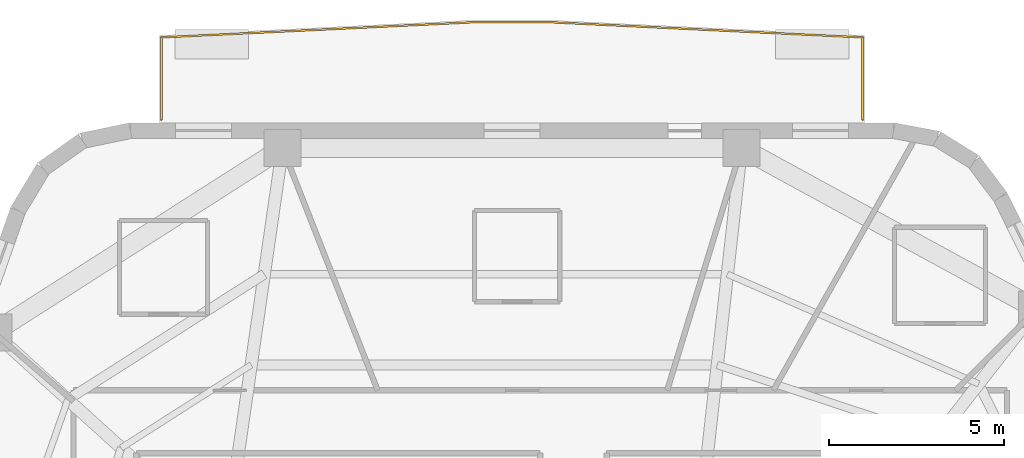
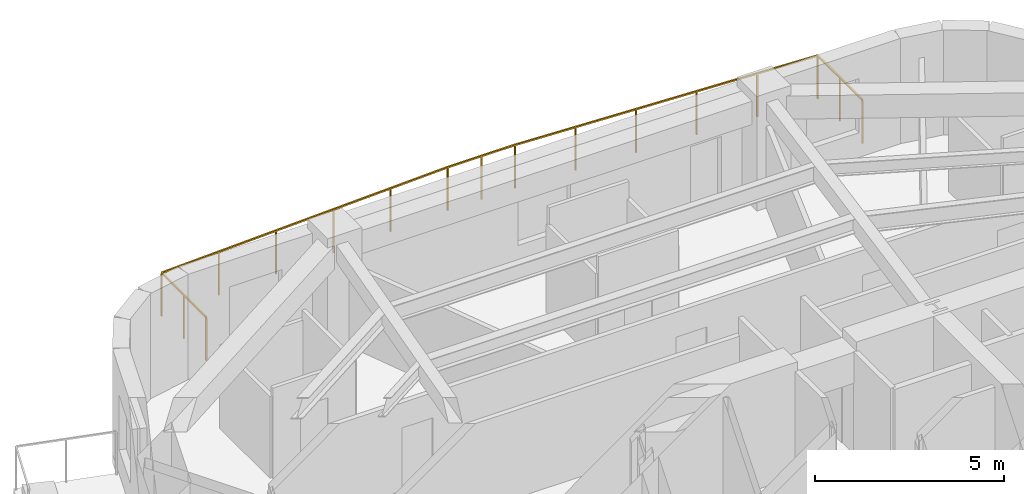
# One storey, part 11 of 11: 1 railing.
"""IFC4 building model written with IfcOpenShell, lengths in metres."""

from ifc_helpers import new_model, si_unit, direction, frame, origin, origin_2d, place, context, subcontext, project, spatial, rectangle, extrude, material, layer, layer_set, type_object, element, save


model = new_model("IFC4")

# Units and contexts
model_context = context("Model", 3, precision=1e-05, world=origin(), true_north=direction((0.0, 1.0)))
body_context = subcontext(model_context, "Body", "Model", "MODEL_VIEW")
ifc_project = project(units=[si_unit("LENGTHUNIT", "METRE"), si_unit("AREAUNIT", "SQUARE_METRE"), si_unit("VOLUMEUNIT", "CUBIC_METRE"), si_unit("PLANEANGLEUNIT", "RADIAN"), si_unit("MASSUNIT", "GRAM", prefix="KILO")], contexts=[model_context])

# Site, building, storey
site_placement = place(None, origin())
site = spatial("IfcSite", under=ifc_project, at=site_placement, CompositionType="ELEMENT")
building_placement = place(site_placement, origin())
building = spatial("IfcBuilding", under=site, at=building_placement, Name="Kilnhurst Terrace Hotel", CompositionType="ELEMENT")
storey_placement = place(building_placement, frame((0.0, 0.0, 194.10009765625)))
storey = spatial("IfcBuildingStorey", under=building, at=storey_placement, Name="L48", CompositionType="ELEMENT", Elevation=194.10009765625)

# Railing
ifc_material = material(Name="Laminated SentryGlas and Stainless Steel AISI 316L Balustrade", Category="steel")
ifc_layer = layer(ifc_material, 0.070068359375, Name="Laminated SentryGlas and Stainless Steel AISI 316L Balustrade")
ifc_layer_set = layer_set([ifc_layer], Name="Laminated SentryGlas and Stainless Steel AISI 316L Balustrade")
railing_type = type_object("IfcRailingType", Name="RLG-BAL-1420", PredefinedType="BALUSTRADE", material=ifc_layer_set)
railing_placement = place(storey_placement, frame((-10.83349609375, 19.580078125, 0.0)))
element("IfcRailing", 1, at=railing_placement, inside=storey, type_object=railing_type, Name="L48 Exterior Terrace Guardrail BAL-L2A.1", PredefinedType="BALUSTRADE", context=body_context, shape_type="SweptSolid", body=[
    extrude(rectangle(XDim=0.048095703125, YDim=0.048095703125, at=origin_2d()), frame((0.0, 0.0, 1.39599609375), z_axis=(0.0, 1.0, 0.0), x_axis=(-1.0, 0.0, 0.0)), (0.0, 0.0, 1.0), 2.36279296875),
    extrude(rectangle(XDim=0.048095703125, YDim=0.048095703125, at=origin_2d()), frame((0.0, 2.36279296875, 1.39599609375), z_axis=(0.998822813861, 0.048507592295, 0.0), x_axis=(-0.048507592295, 0.998822813861, 0.0)), (0.0, 0.0, 1.0), 9.009033203125),
    extrude(rectangle(XDim=0.048095703125, YDim=0.048095703125, at=origin_2d()), frame((8.99853515625, 2.7998046875, 1.39599609375), z_axis=(1.0, 0.0, 0.0), x_axis=(0.0, 1.0, 0.0)), (0.0, 0.0, 1.0), 2.0556640625),
    extrude(rectangle(XDim=0.048095703125, YDim=0.048095703125, at=origin_2d()), frame((11.05419921875, 2.7998046875, 1.39599609375), z_axis=(0.998822813861, -0.048507592295, 0.0), x_axis=(0.048507592295, 0.998822813861, 0.0)), (0.0, 0.0, 1.0), 9.009033203125),
    extrude(rectangle(XDim=0.048095703125, YDim=0.048095703125, at=origin_2d()), frame((20.052734375, 2.36279296875, 1.39599609375), z_axis=(0.0, -1.0, 0.0), x_axis=(1.0, 0.0, 0.0)), (0.0, 0.0, 1.0), 2.36279296875),
    extrude(rectangle(XDim=0.0419921875, YDim=0.0419921875, at=origin_2d()), origin(), (0.0, 0.0, 1.0), 1.371826171875),
    extrude(rectangle(XDim=0.0419921875, YDim=0.0419921875, at=origin_2d()), frame((0.0, 1.181396484375, 0.0)), (0.0, 0.0, 1.0), 1.371826171875),
    extrude(rectangle(XDim=0.0419921875, YDim=0.0419921875, at=origin_2d()), frame((0.0, 2.36279296875, 0.0)), (0.0, 0.0, 1.0), 1.371826171875),
    extrude(rectangle(XDim=0.0419921875, YDim=0.0419921875, at=origin_2d()), frame((1.7998046875, 2.4501953125, 0.0)), (0.0, 0.0, 1.0), 1.371826171875),
    extrude(rectangle(XDim=0.0419921875, YDim=0.0419921875, at=origin_2d()), frame((3.599365234375, 2.53759765625, 0.0)), (0.0, 0.0, 1.0), 1.371826171875),
    extrude(rectangle(XDim=0.0419921875, YDim=0.0419921875, at=origin_2d()), frame((5.399169921875, 2.625, 0.0)), (0.0, 0.0, 1.0), 1.371826171875),
    extrude(rectangle(XDim=0.0419921875, YDim=0.0419921875, at=origin_2d()), frame((7.19873046875, 2.71240234375, 0.0)), (0.0, 0.0, 1.0), 1.371826171875),
    extrude(rectangle(XDim=0.0419921875, YDim=0.0419921875, at=origin_2d()), frame((8.99853515625, 2.7998046875, 0.0)), (0.0, 0.0, 1.0), 1.371826171875),
    extrude(rectangle(XDim=0.0419921875, YDim=0.0419921875, at=origin_2d()), frame((10.0263671875, 2.7998046875, 0.0)), (0.0, 0.0, 1.0), 1.371826171875),
    extrude(rectangle(XDim=0.0419921875, YDim=0.0419921875, at=origin_2d()), frame((11.05419921875, 2.7998046875, 0.0)), (0.0, 0.0, 1.0), 1.371826171875),
    extrude(rectangle(XDim=0.0419921875, YDim=0.0419921875, at=origin_2d()), frame((12.85400390625, 2.71240234375, 0.0)), (0.0, 0.0, 1.0), 1.371826171875),
    extrude(rectangle(XDim=0.0419921875, YDim=0.0419921875, at=origin_2d()), frame((14.653564453125, 2.625, 0.0)), (0.0, 0.0, 1.0), 1.371826171875),
    extrude(rectangle(XDim=0.0419921875, YDim=0.0419921875, at=origin_2d()), frame((16.453369140625, 2.53759765625, 0.0)), (0.0, 0.0, 1.0), 1.371826171875),
    extrude(rectangle(XDim=0.0419921875, YDim=0.0419921875, at=origin_2d()), frame((18.2529296875, 2.4501953125, 0.0)), (0.0, 0.0, 1.0), 1.371826171875),
    extrude(rectangle(XDim=0.0419921875, YDim=0.0419921875, at=origin_2d()), frame((20.052734375, 2.36279296875, 0.0)), (0.0, 0.0, 1.0), 1.371826171875),
    extrude(rectangle(XDim=0.0419921875, YDim=0.0419921875, at=origin_2d()), frame((20.052734375, 1.181396484375, 0.0)), (0.0, 0.0, 1.0), 1.371826171875),
    extrude(rectangle(XDim=0.0419921875, YDim=0.0419921875, at=origin_2d()), frame((20.052734375, 0.0, 0.0)), (0.0, 0.0, 1.0), 1.371826171875),
])

save(model, "model.ifc")
